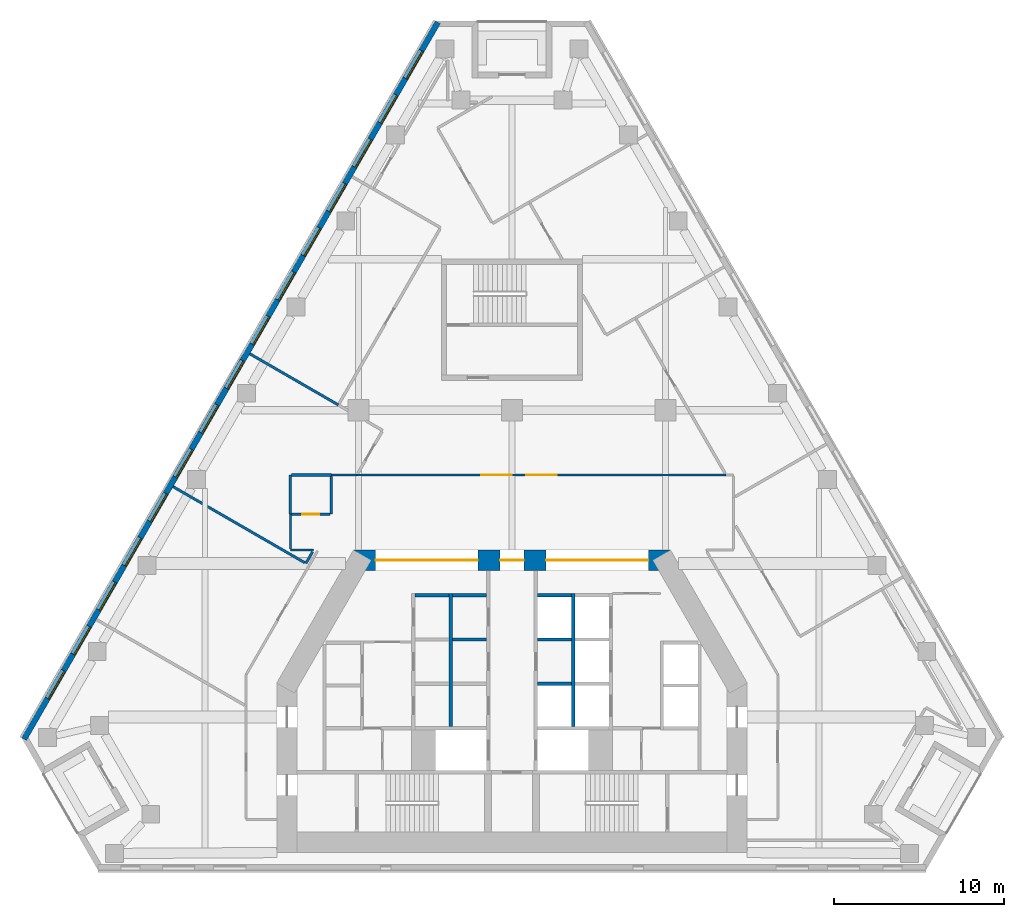
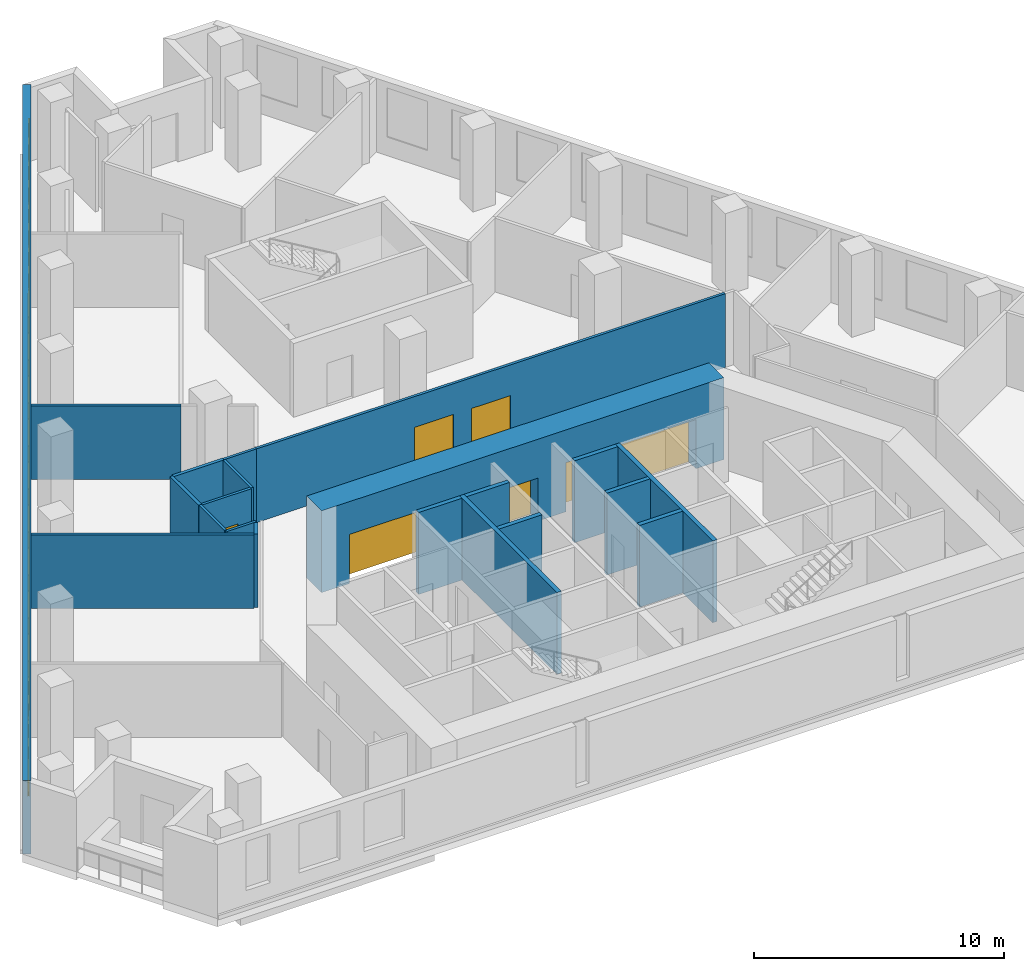
# One storey, part 4 of 8: 21 walls, 15 windows, 6 doors, 21 openings.
"""IFC4 building model written with IfcOpenShell, lengths in metres."""

from ifc_helpers import new_model, si_unit, direction, frame, frame_2d, origin, place, context, subcontext, project, spatial, rectangle, extrude, material, layer, layer_set, type_object, element, fill, save


model = new_model("IFC4")

# Units and contexts
model_context = context("Model", 3, precision=1e-05, world=origin(), true_north=direction((0.0, 1.0)))
body_context = subcontext(model_context, "Body", "Model", "MODEL_VIEW")
ifc_project = project(units=[si_unit("LENGTHUNIT", "METRE"), si_unit("AREAUNIT", "SQUARE_METRE"), si_unit("VOLUMEUNIT", "CUBIC_METRE"), si_unit("PLANEANGLEUNIT", "RADIAN"), si_unit("MASSUNIT", "GRAM", prefix="KILO")], contexts=[model_context])

# Site, building, storey
site_placement = place(None, origin())
site = spatial("IfcSite", under=ifc_project, at=site_placement, CompositionType="ELEMENT")
building_placement = place(site_placement, origin())
building = spatial("IfcBuilding", under=site, at=building_placement, Name="Fogline Exchange Tower", CompositionType="ELEMENT")
storey_placement = place(building_placement, frame((0.0, 0.0, 158.89990234375)))
storey = spatial("IfcBuildingStorey", under=building, at=storey_placement, Name="L35", CompositionType="ELEMENT", Elevation=158.89990234375)

# Walls
ifc_material_1 = material(Name="Concrete C40", Category="concrete")
ifc_layer_1 = layer(ifc_material_1, 0.199951171875)
ifc_layer_set_1 = layer_set([ifc_layer_1], Name="CW20")
wall_type_1 = type_object("IfcWallType", Name="CW20", PredefinedType="SOLIDWALL", material=ifc_layer_set_1)
wall_1_placement = place(storey_placement, frame((-3.5, 13.550048828125, 0.0), z_axis=(0.0, 0.0, 1.0), x_axis=(1.0, 0.0, 0.0)))
element("IfcWall", 1, at=wall_1_placement, inside=storey, type_object=wall_type_1, Name="Service room wall", PredefinedType="SOLIDWALL", context=body_context, shape_type="SweptSolid", body=[
    extrude(rectangle(XDim=2.0, YDim=0.199951171875, at=frame_2d((1.0, 0.0))), origin(), (0.0, 0.0, 1.0), 3.60009765625),
])
ifc_layer_2 = layer(ifc_material_1, 0.199951171875)
ifc_layer_set_2 = layer_set([ifc_layer_2], Name="CW20S")
wall_type_2 = type_object("IfcWallType", Name="CW20S", PredefinedType="SOLIDWALL", material=ifc_layer_set_2)
for number, where, z_axis, x_axis, name in (
    (2, (-3.60009765625, 8.449951171875, -0.39990234375), (0.0, 0.0, 1.0), (0.0, 1.0, 0.0), "Lift shaft wall"),
    (3, (3.60009765625, 8.449951171875, -0.39990234375), (0.0, 0.0, 1.0), (0.0, 1.0, 0.0), "Lift shaft wall"),
):
    element("IfcWall", number, at=place(storey_placement, frame(where, z_axis=z_axis, x_axis=x_axis)), inside=storey, type_object=wall_type_2, Name=name, PredefinedType="SOLIDWALL", context=body_context, shape_type="SweptSolid", body=[
        extrude(rectangle(XDim=7.800048828125, YDim=0.199951171875, at=frame_2d((3.89990234375, 0.0))), origin(), (0.0, 0.0, 1.0), 4.0),
    ])
for number, where, z_axis, x_axis, name in (
    (4, (-5.699951171875, 16.14990234375, -0.39990234375), (0.0, 0.0, 1.0), (1.0, 0.0, 0.0), "Lift shaft wall"),
    (5, (-3.5, 16.14990234375, -0.39990234375), (0.0, 0.0, 1.0), (1.0, 0.0, 0.0), "Lift shaft wall"),
    (6, (1.5, 10.949951171875, -0.39990234375), (0.0, 0.0, 1.0), (1.0, 0.0, 0.0), "Lift shaft wall"),
    (7, (1.5, 13.550048828125, -0.39990234375), (0.0, 0.0, 1.0), (1.0, 0.0, 0.0), "Lift shaft wall"),
    (8, (1.5, 16.14990234375, -0.39990234375), (0.0, 0.0, 1.0), (1.0, 0.0, 0.0), "Lift shaft wall"),
):
    element("IfcWall", number, at=place(storey_placement, frame(where, z_axis=z_axis, x_axis=x_axis)), inside=storey, type_object=wall_type_2, Name=name, PredefinedType="SOLIDWALL", context=body_context, shape_type="SweptSolid", body=[
        extrude(rectangle(XDim=2.0, YDim=0.199951171875, at=frame_2d((1.0, 0.0))), origin(), (0.0, 0.0, 1.0), 4.0),
    ])

# Wall, openings, windows
ifc_material_2 = material(Name="Brick masonry", Category="masonry")
ifc_layer_3 = layer(ifc_material_2, 0.340087890625)
ifc_layer_set_3 = layer_set([ifc_layer_3], Name="FW1")
wall_type_3 = type_object("IfcWallType", Name="FW1", PredefinedType="SOLIDWALL", material=ifc_layer_set_3)
wall_2_placement = place(storey_placement, frame((-4.352783203125, 49.756591796875, 0.0), z_axis=(0.0, 0.0, 1.0), x_axis=(-0.500001027829, -0.866024810367, 0.0)))
wall_2 = element("IfcWall", 9, at=wall_2_placement, inside=storey, type_object=wall_type_3, Name="Brick wall L35 W", PredefinedType="SOLIDWALL", context=body_context, shape_type="SweptSolid", body=[
    extrude(rectangle(XDim=48.55224609375, YDim=0.340087890625, at=frame_2d((24.276123046875, 0.0))), origin(), (0.0, 0.0, 1.0), 3.60009765625),
])
opening_1_placement = place(wall_2_placement, frame((1.9140625, 0.0, 0.89990234375)))
opening_1 = element("IfcOpeningElement", 10, at=opening_1_placement, cuts=wall_2, Name="Opening W1", PredefinedType="OPENING", context=body_context, shape_type="SweptSolid", body=[
    extrude(rectangle(XDim=1.885009765625, YDim=2.39990234375, at=frame_2d((0.9423828125, 1.199951171875))), frame((0.0, 0.18017578125, 0.0), z_axis=(0.0, -1.0, 0.0), x_axis=(1.0, 0.0, 0.0)), (0.0, 0.0, 1.0), 0.360107421875),
])
opening_2_placement = place(wall_2_placement, frame((4.9140625, 0.0, 0.89990234375)))
opening_2 = element("IfcOpeningElement", 11, at=opening_2_placement, cuts=wall_2, Name="Opening W1", PredefinedType="OPENING", context=body_context, shape_type="SweptSolid", body=[
    extrude(rectangle(XDim=1.885009765625, YDim=2.39990234375, at=frame_2d((0.9423828125, 1.199951171875))), frame((0.0, 0.18017578125, 0.0), z_axis=(0.0, -1.0, 0.0), x_axis=(1.0, 0.0, 0.0)), (0.0, 0.0, 1.0), 0.360107421875),
])
opening_3_placement = place(wall_2_placement, frame((7.9140625, 0.0, 0.89990234375)))
opening_3 = element("IfcOpeningElement", 12, at=opening_3_placement, cuts=wall_2, Name="Opening W1", PredefinedType="OPENING", context=body_context, shape_type="SweptSolid", body=[
    extrude(rectangle(XDim=1.885009765625, YDim=2.39990234375, at=frame_2d((0.9423828125, 1.199951171875))), frame((0.0, 0.18017578125, 0.0), z_axis=(0.0, -1.0, 0.0), x_axis=(1.0, 0.0, 0.0)), (0.0, 0.0, 1.0), 0.360107421875),
])
opening_4_placement = place(wall_2_placement, frame((10.9140625, 0.0, 0.89990234375)))
opening_4 = element("IfcOpeningElement", 13, at=opening_4_placement, cuts=wall_2, Name="Opening W1", PredefinedType="OPENING", context=body_context, shape_type="SweptSolid", body=[
    extrude(rectangle(XDim=1.885009765625, YDim=2.39990234375, at=frame_2d((0.9423828125, 1.199951171875))), frame((0.0, 0.18017578125, 0.0), z_axis=(0.0, -1.0, 0.0), x_axis=(1.0, 0.0, 0.0)), (0.0, 0.0, 1.0), 0.360107421875),
])
opening_5_placement = place(wall_2_placement, frame((13.9140625, 0.0, 0.89990234375)))
opening_5 = element("IfcOpeningElement", 14, at=opening_5_placement, cuts=wall_2, Name="Opening W1", PredefinedType="OPENING", context=body_context, shape_type="SweptSolid", body=[
    extrude(rectangle(XDim=1.885009765625, YDim=2.39990234375, at=frame_2d((0.9423828125, 1.199951171875))), frame((0.0, 0.18017578125, 0.0), z_axis=(0.0, -1.0, 0.0), x_axis=(1.0, 0.0, 0.0)), (0.0, 0.0, 1.0), 0.360107421875),
])
opening_6_placement = place(wall_2_placement, frame((16.9140625, 0.0, 0.89990234375)))
opening_6 = element("IfcOpeningElement", 15, at=opening_6_placement, cuts=wall_2, Name="Opening W1", PredefinedType="OPENING", context=body_context, shape_type="SweptSolid", body=[
    extrude(rectangle(XDim=1.885009765625, YDim=2.39990234375, at=frame_2d((0.9423828125, 1.199951171875))), frame((0.0, 0.18017578125, 0.0), z_axis=(0.0, -1.0, 0.0), x_axis=(1.0, 0.0, 0.0)), (0.0, 0.0, 1.0), 0.360107421875),
])
opening_7_placement = place(wall_2_placement, frame((19.9140625, 0.0, 0.89990234375)))
opening_7 = element("IfcOpeningElement", 16, at=opening_7_placement, cuts=wall_2, Name="Opening W1", PredefinedType="OPENING", context=body_context, shape_type="SweptSolid", body=[
    extrude(rectangle(XDim=1.885009765625, YDim=2.39990234375, at=frame_2d((0.9423828125, 1.199951171875))), frame((0.0, 0.18017578125, 0.0), z_axis=(0.0, -1.0, 0.0), x_axis=(1.0, 0.0, 0.0)), (0.0, 0.0, 1.0), 0.360107421875),
])
opening_8_placement = place(wall_2_placement, frame((22.9140625, 0.0, 0.89990234375)))
opening_8 = element("IfcOpeningElement", 17, at=opening_8_placement, cuts=wall_2, Name="Opening W1", PredefinedType="OPENING", context=body_context, shape_type="SweptSolid", body=[
    extrude(rectangle(XDim=1.885009765625, YDim=2.39990234375, at=frame_2d((0.9423828125, 1.199951171875))), frame((0.0, 0.18017578125, 0.0), z_axis=(0.0, -1.0, 0.0), x_axis=(1.0, 0.0, 0.0)), (0.0, 0.0, 1.0), 0.360107421875),
])
opening_9_placement = place(wall_2_placement, frame((25.9140625, 0.0, 0.89990234375)))
opening_9 = element("IfcOpeningElement", 18, at=opening_9_placement, cuts=wall_2, Name="Opening W1", PredefinedType="OPENING", context=body_context, shape_type="SweptSolid", body=[
    extrude(rectangle(XDim=1.885009765625, YDim=2.39990234375, at=frame_2d((0.9423828125, 1.199951171875))), frame((0.0, 0.18017578125, 0.0), z_axis=(0.0, -1.0, 0.0), x_axis=(1.0, 0.0, 0.0)), (0.0, 0.0, 1.0), 0.360107421875),
])
opening_10_placement = place(wall_2_placement, frame((28.9140625, 0.0, 0.89990234375)))
opening_10 = element("IfcOpeningElement", 19, at=opening_10_placement, cuts=wall_2, Name="Opening W1", PredefinedType="OPENING", context=body_context, shape_type="SweptSolid", body=[
    extrude(rectangle(XDim=1.885009765625, YDim=2.39990234375, at=frame_2d((0.9423828125, 1.199951171875))), frame((0.0, 0.18017578125, 0.0), z_axis=(0.0, -1.0, 0.0), x_axis=(1.0, 0.0, 0.0)), (0.0, 0.0, 1.0), 0.360107421875),
])
opening_11_placement = place(wall_2_placement, frame((31.9140625, 0.0, 0.89990234375)))
opening_11 = element("IfcOpeningElement", 20, at=opening_11_placement, cuts=wall_2, Name="Opening W1", PredefinedType="OPENING", context=body_context, shape_type="SweptSolid", body=[
    extrude(rectangle(XDim=1.885009765625, YDim=2.39990234375, at=frame_2d((0.9423828125, 1.199951171875))), frame((0.0, 0.18017578125, 0.0), z_axis=(0.0, -1.0, 0.0), x_axis=(1.0, 0.0, 0.0)), (0.0, 0.0, 1.0), 0.360107421875),
])
opening_12_placement = place(wall_2_placement, frame((34.9140625, 0.0, 0.89990234375)))
opening_12 = element("IfcOpeningElement", 21, at=opening_12_placement, cuts=wall_2, Name="Opening W1", PredefinedType="OPENING", context=body_context, shape_type="SweptSolid", body=[
    extrude(rectangle(XDim=1.885009765625, YDim=2.39990234375, at=frame_2d((0.9423828125, 1.199951171875))), frame((0.0, 0.18017578125, 0.0), z_axis=(0.0, -1.0, 0.0), x_axis=(1.0, 0.0, 0.0)), (0.0, 0.0, 1.0), 0.360107421875),
])
opening_13_placement = place(wall_2_placement, frame((37.9140625, 0.0, 0.89990234375)))
opening_13 = element("IfcOpeningElement", 22, at=opening_13_placement, cuts=wall_2, Name="Opening W1", PredefinedType="OPENING", context=body_context, shape_type="SweptSolid", body=[
    extrude(rectangle(XDim=1.885009765625, YDim=2.39990234375, at=frame_2d((0.9423828125, 1.199951171875))), frame((0.0, 0.18017578125, 0.0), z_axis=(0.0, -1.0, 0.0), x_axis=(1.0, 0.0, 0.0)), (0.0, 0.0, 1.0), 0.360107421875),
])
opening_14_placement = place(wall_2_placement, frame((40.9140625, 0.0, 0.89990234375)))
opening_14 = element("IfcOpeningElement", 23, at=opening_14_placement, cuts=wall_2, Name="Opening W1", PredefinedType="OPENING", context=body_context, shape_type="SweptSolid", body=[
    extrude(rectangle(XDim=1.885009765625, YDim=2.39990234375, at=frame_2d((0.9423828125, 1.199951171875))), frame((0.0, 0.18017578125, 0.0), z_axis=(0.0, -1.0, 0.0), x_axis=(1.0, 0.0, 0.0)), (0.0, 0.0, 1.0), 0.360107421875),
])
opening_15_placement = place(wall_2_placement, frame((43.9140625, 0.0, 0.89990234375)))
opening_15 = element("IfcOpeningElement", 24, at=opening_15_placement, cuts=wall_2, Name="Opening W1", PredefinedType="OPENING", context=body_context, shape_type="SweptSolid", body=[
    extrude(rectangle(XDim=1.885009765625, YDim=2.39990234375, at=frame_2d((0.9423828125, 1.199951171875))), frame((0.0, 0.18017578125, 0.0), z_axis=(0.0, -1.0, 0.0), x_axis=(1.0, 0.0, 0.0)), (0.0, 0.0, 1.0), 0.360107421875),
])
ifc_material_3 = material(Name="Aluminium and glass", Category="aluminium")
window_type = type_object("IfcWindowType", Name="W1", PartitioningType="SINGLE_PANEL", PredefinedType="WINDOW", material=ifc_material_3)
window_1_placement = place(opening_1_placement, origin())
window_1 = element("IfcWindow", 25, at=window_1_placement, inside=storey, type_object=window_type, Name="W1 W1", OverallHeight=2.39990234375, OverallWidth=1.885009765625, PartitioningType="SINGLE_PANEL", PredefinedType="WINDOW", context=body_context, shape_type="SweptSolid", body=[
    extrude(rectangle(XDim=1.885009765625, YDim=2.39990234375, at=frame_2d((0.9423828125, 1.199951171875))), frame((0.0, 0.110107421875, 0.0), z_axis=(0.0, -1.0, 0.0), x_axis=(1.0, 0.0, 0.0)), (0.0, 0.0, 1.0), 0.06005859375),
])
fill(opening_1, window_1)
window_2_placement = place(opening_2_placement, origin())
window_2 = element("IfcWindow", 26, at=window_2_placement, inside=storey, type_object=window_type, Name="W1 W1", OverallHeight=2.39990234375, OverallWidth=1.885009765625, PartitioningType="SINGLE_PANEL", PredefinedType="WINDOW", context=body_context, shape_type="SweptSolid", body=[
    extrude(rectangle(XDim=1.885009765625, YDim=2.39990234375, at=frame_2d((0.9423828125, 1.199951171875))), frame((0.0, 0.110107421875, 0.0), z_axis=(0.0, -1.0, 0.0), x_axis=(1.0, 0.0, 0.0)), (0.0, 0.0, 1.0), 0.06005859375),
])
fill(opening_2, window_2)
window_3_placement = place(opening_3_placement, origin())
window_3 = element("IfcWindow", 27, at=window_3_placement, inside=storey, type_object=window_type, Name="W1 W1", OverallHeight=2.39990234375, OverallWidth=1.885009765625, PartitioningType="SINGLE_PANEL", PredefinedType="WINDOW", context=body_context, shape_type="SweptSolid", body=[
    extrude(rectangle(XDim=1.885009765625, YDim=2.39990234375, at=frame_2d((0.9423828125, 1.199951171875))), frame((0.0, 0.110107421875, 0.0), z_axis=(0.0, -1.0, 0.0), x_axis=(1.0, 0.0, 0.0)), (0.0, 0.0, 1.0), 0.06005859375),
])
fill(opening_3, window_3)
window_4_placement = place(opening_4_placement, origin())
window_4 = element("IfcWindow", 28, at=window_4_placement, inside=storey, type_object=window_type, Name="W1 W1", OverallHeight=2.39990234375, OverallWidth=1.885009765625, PartitioningType="SINGLE_PANEL", PredefinedType="WINDOW", context=body_context, shape_type="SweptSolid", body=[
    extrude(rectangle(XDim=1.885009765625, YDim=2.39990234375, at=frame_2d((0.9423828125, 1.199951171875))), frame((0.0, 0.110107421875, 0.0), z_axis=(0.0, -1.0, 0.0), x_axis=(1.0, 0.0, 0.0)), (0.0, 0.0, 1.0), 0.06005859375),
])
fill(opening_4, window_4)
window_5_placement = place(opening_5_placement, origin())
window_5 = element("IfcWindow", 29, at=window_5_placement, inside=storey, type_object=window_type, Name="W1 W1", OverallHeight=2.39990234375, OverallWidth=1.885009765625, PartitioningType="SINGLE_PANEL", PredefinedType="WINDOW", context=body_context, shape_type="SweptSolid", body=[
    extrude(rectangle(XDim=1.885009765625, YDim=2.39990234375, at=frame_2d((0.9423828125, 1.199951171875))), frame((0.0, 0.110107421875, 0.0), z_axis=(0.0, -1.0, 0.0), x_axis=(1.0, 0.0, 0.0)), (0.0, 0.0, 1.0), 0.06005859375),
])
fill(opening_5, window_5)
window_6_placement = place(opening_6_placement, origin())
window_6 = element("IfcWindow", 30, at=window_6_placement, inside=storey, type_object=window_type, Name="W1 W1", OverallHeight=2.39990234375, OverallWidth=1.885009765625, PartitioningType="SINGLE_PANEL", PredefinedType="WINDOW", context=body_context, shape_type="SweptSolid", body=[
    extrude(rectangle(XDim=1.885009765625, YDim=2.39990234375, at=frame_2d((0.9423828125, 1.199951171875))), frame((0.0, 0.110107421875, 0.0), z_axis=(0.0, -1.0, 0.0), x_axis=(1.0, 0.0, 0.0)), (0.0, 0.0, 1.0), 0.06005859375),
])
fill(opening_6, window_6)
window_7_placement = place(opening_7_placement, origin())
window_7 = element("IfcWindow", 31, at=window_7_placement, inside=storey, type_object=window_type, Name="W1 W1", OverallHeight=2.39990234375, OverallWidth=1.885009765625, PartitioningType="SINGLE_PANEL", PredefinedType="WINDOW", context=body_context, shape_type="SweptSolid", body=[
    extrude(rectangle(XDim=1.885009765625, YDim=2.39990234375, at=frame_2d((0.9423828125, 1.199951171875))), frame((0.0, 0.110107421875, 0.0), z_axis=(0.0, -1.0, 0.0), x_axis=(1.0, 0.0, 0.0)), (0.0, 0.0, 1.0), 0.06005859375),
])
fill(opening_7, window_7)
window_8_placement = place(opening_8_placement, origin())
window_8 = element("IfcWindow", 32, at=window_8_placement, inside=storey, type_object=window_type, Name="W1 W1", OverallHeight=2.39990234375, OverallWidth=1.885009765625, PartitioningType="SINGLE_PANEL", PredefinedType="WINDOW", context=body_context, shape_type="SweptSolid", body=[
    extrude(rectangle(XDim=1.885009765625, YDim=2.39990234375, at=frame_2d((0.9423828125, 1.199951171875))), frame((0.0, 0.110107421875, 0.0), z_axis=(0.0, -1.0, 0.0), x_axis=(1.0, 0.0, 0.0)), (0.0, 0.0, 1.0), 0.06005859375),
])
fill(opening_8, window_8)
window_9_placement = place(opening_9_placement, origin())
window_9 = element("IfcWindow", 33, at=window_9_placement, inside=storey, type_object=window_type, Name="W1 W1", OverallHeight=2.39990234375, OverallWidth=1.885009765625, PartitioningType="SINGLE_PANEL", PredefinedType="WINDOW", context=body_context, shape_type="SweptSolid", body=[
    extrude(rectangle(XDim=1.885009765625, YDim=2.39990234375, at=frame_2d((0.9423828125, 1.199951171875))), frame((0.0, 0.110107421875, 0.0), z_axis=(0.0, -1.0, 0.0), x_axis=(1.0, 0.0, 0.0)), (0.0, 0.0, 1.0), 0.06005859375),
])
fill(opening_9, window_9)
window_10_placement = place(opening_10_placement, origin())
window_10 = element("IfcWindow", 34, at=window_10_placement, inside=storey, type_object=window_type, Name="W1 W1", OverallHeight=2.39990234375, OverallWidth=1.885009765625, PartitioningType="SINGLE_PANEL", PredefinedType="WINDOW", context=body_context, shape_type="SweptSolid", body=[
    extrude(rectangle(XDim=1.885009765625, YDim=2.39990234375, at=frame_2d((0.9423828125, 1.199951171875))), frame((0.0, 0.110107421875, 0.0), z_axis=(0.0, -1.0, 0.0), x_axis=(1.0, 0.0, 0.0)), (0.0, 0.0, 1.0), 0.06005859375),
])
fill(opening_10, window_10)
window_11_placement = place(opening_11_placement, origin())
window_11 = element("IfcWindow", 35, at=window_11_placement, inside=storey, type_object=window_type, Name="W1 W1", OverallHeight=2.39990234375, OverallWidth=1.885009765625, PartitioningType="SINGLE_PANEL", PredefinedType="WINDOW", context=body_context, shape_type="SweptSolid", body=[
    extrude(rectangle(XDim=1.885009765625, YDim=2.39990234375, at=frame_2d((0.9423828125, 1.199951171875))), frame((0.0, 0.110107421875, 0.0), z_axis=(0.0, -1.0, 0.0), x_axis=(1.0, 0.0, 0.0)), (0.0, 0.0, 1.0), 0.06005859375),
])
fill(opening_11, window_11)
window_12_placement = place(opening_12_placement, origin())
window_12 = element("IfcWindow", 36, at=window_12_placement, inside=storey, type_object=window_type, Name="W1 W1", OverallHeight=2.39990234375, OverallWidth=1.885009765625, PartitioningType="SINGLE_PANEL", PredefinedType="WINDOW", context=body_context, shape_type="SweptSolid", body=[
    extrude(rectangle(XDim=1.885009765625, YDim=2.39990234375, at=frame_2d((0.9423828125, 1.199951171875))), frame((0.0, 0.110107421875, 0.0), z_axis=(0.0, -1.0, 0.0), x_axis=(1.0, 0.0, 0.0)), (0.0, 0.0, 1.0), 0.06005859375),
])
fill(opening_12, window_12)
window_13_placement = place(opening_13_placement, origin())
window_13 = element("IfcWindow", 37, at=window_13_placement, inside=storey, type_object=window_type, Name="W1 W1", OverallHeight=2.39990234375, OverallWidth=1.885009765625, PartitioningType="SINGLE_PANEL", PredefinedType="WINDOW", context=body_context, shape_type="SweptSolid", body=[
    extrude(rectangle(XDim=1.885009765625, YDim=2.39990234375, at=frame_2d((0.9423828125, 1.199951171875))), frame((0.0, 0.110107421875, 0.0), z_axis=(0.0, -1.0, 0.0), x_axis=(1.0, 0.0, 0.0)), (0.0, 0.0, 1.0), 0.06005859375),
])
fill(opening_13, window_13)
window_14_placement = place(opening_14_placement, origin())
window_14 = element("IfcWindow", 38, at=window_14_placement, inside=storey, type_object=window_type, Name="W1 W1", OverallHeight=2.39990234375, OverallWidth=1.885009765625, PartitioningType="SINGLE_PANEL", PredefinedType="WINDOW", context=body_context, shape_type="SweptSolid", body=[
    extrude(rectangle(XDim=1.885009765625, YDim=2.39990234375, at=frame_2d((0.9423828125, 1.199951171875))), frame((0.0, 0.110107421875, 0.0), z_axis=(0.0, -1.0, 0.0), x_axis=(1.0, 0.0, 0.0)), (0.0, 0.0, 1.0), 0.06005859375),
])
fill(opening_14, window_14)
window_15_placement = place(opening_15_placement, origin())
window_15 = element("IfcWindow", 39, at=window_15_placement, inside=storey, type_object=window_type, Name="W1 W1", OverallHeight=2.39990234375, OverallWidth=1.885009765625, PartitioningType="SINGLE_PANEL", PredefinedType="WINDOW", context=body_context, shape_type="SweptSolid", body=[
    extrude(rectangle(XDim=1.885009765625, YDim=2.39990234375, at=frame_2d((0.9423828125, 1.199951171875))), frame((0.0, 0.110107421875, 0.0), z_axis=(0.0, -1.0, 0.0), x_axis=(1.0, 0.0, 0.0)), (0.0, 0.0, 1.0), 0.06005859375),
])
fill(opening_15, window_15)

# Wall, openings, doors
ifc_material_4 = material(Name="Plasterboard corridor partition with mineral wool, 2 layers each side")
ifc_layer_4 = layer(ifc_material_4, 0.125)
ifc_layer_set_4 = layer_set([ifc_layer_4], Name="PW2")
wall_type_4 = type_object("IfcWallType", Name="PW2", PredefinedType="PARTITIONING", material=ifc_layer_set_4)
wall_3_placement = place(storey_placement, frame((-9.0966796875, 23.199951171875, 0.0), z_axis=(0.0, 0.0, 1.0), x_axis=(1.0, 0.0, 0.0)))
wall_3 = element("IfcWall", 40, at=wall_3_placement, inside=storey, type_object=wall_type_4, Name="wall-L35-W007", PredefinedType="PARTITIONING", context=body_context, shape_type="SweptSolid", body=[
    extrude(rectangle(XDim=21.657470703125, YDim=0.125, at=frame_2d((10.82861328125, 0.0))), origin(), (0.0, 0.0, 1.0), 3.60009765625),
])
opening_16_placement = place(wall_3_placement, frame((7.2890625, 0.0, 0.0)))
opening_16 = element("IfcOpeningElement", 41, at=opening_16_placement, cuts=wall_3, Name="Opening T11-D002", PredefinedType="OPENING", context=body_context, shape_type="SweptSolid", body=[
    extrude(rectangle(XDim=1.800048828125, YDim=2.10009765625, at=frame_2d((0.89990234375, 1.050048828125))), frame((0.0, 0.072509765625, 0.0), z_axis=(0.0, -1.0, 0.0), x_axis=(1.0, 0.0, 0.0)), (0.0, 0.0, 1.0), 0.14501953125),
])
opening_17_placement = place(wall_3_placement, frame((9.9287109375, 0.0, 0.0)))
opening_17 = element("IfcOpeningElement", 42, at=opening_17_placement, cuts=wall_3, Name="Opening T11-D003", PredefinedType="OPENING", context=body_context, shape_type="SweptSolid", body=[
    extrude(rectangle(XDim=1.800048828125, YDim=2.10009765625, at=frame_2d((0.89990234375, 1.050048828125))), frame((0.0, 0.072509765625, 0.0), z_axis=(0.0, -1.0, 0.0), x_axis=(1.0, 0.0, 0.0)), (0.0, 0.0, 1.0), 0.14501953125),
])
ifc_material_5 = material(Name="Fire-rated timber door leaves with steel frame", Category="steel")
door_type_1 = type_object("IfcDoorType", Name="D4", OperationType="DOUBLE_DOOR_SINGLE_SWING", PredefinedType="DOOR", material=ifc_material_5)
door_1_placement = place(opening_16_placement, frame((1.800048828125, 0.0, 0.0), z_axis=(0.0, 0.0, 1.0), x_axis=(-1.0, 0.0, 0.0)))
door_1 = element("IfcDoor", 43, at=door_1_placement, inside=storey, type_object=door_type_1, Name="door-L35-D002", OperationType="DOUBLE_DOOR_SINGLE_SWING", OverallHeight=2.10009765625, OverallWidth=1.800048828125, PredefinedType="DOOR", context=body_context, shape_type="SweptSolid", body=[
    extrude(rectangle(XDim=1.800048828125, YDim=2.10009765625, at=frame_2d((0.89990234375, 1.050048828125))), frame((0.0, 0.02490234375, 0.0), z_axis=(0.0, -1.0, 0.0), x_axis=(1.0, 0.0, 0.0)), (0.0, 0.0, 1.0), 0.050048828125),
])
fill(opening_16, door_1)
door_2_placement = place(opening_17_placement, frame((1.800048828125, 0.0, 0.0), z_axis=(0.0, 0.0, 1.0), x_axis=(-1.0, 0.0, 0.0)))
door_2 = element("IfcDoor", 44, at=door_2_placement, inside=storey, type_object=door_type_1, Name="door-L35-D003", OperationType="DOUBLE_DOOR_SINGLE_SWING", OverallHeight=2.10009765625, OverallWidth=1.800048828125, PredefinedType="DOOR", context=body_context, shape_type="SweptSolid", body=[
    extrude(rectangle(XDim=1.800048828125, YDim=2.10009765625, at=frame_2d((0.89990234375, 1.050048828125))), frame((0.0, 0.02490234375, 0.0), z_axis=(0.0, -1.0, 0.0), x_axis=(1.0, 0.0, 0.0)), (0.0, 0.0, 1.0), 0.050048828125),
])
fill(opening_17, door_2)

# Walls
wall_4_placement = place(storey_placement, frame((-11.636962890625, 18.800048828125, 0.0), z_axis=(0.0, 0.0, 1.0), x_axis=(-1.0, 0.0, 0.0)))
element("IfcWall", 45, at=wall_4_placement, inside=storey, type_object=wall_type_4, Name="wall-L35-W008", PredefinedType="PARTITIONING", context=body_context, shape_type="SweptSolid", body=[
    extrude(rectangle(XDim=1.363037109375, YDim=0.125, at=frame_2d((0.681640625, 0.0))), origin(), (0.0, 0.0, 1.0), 3.60009765625),
])
wall_5_placement = place(storey_placement, frame((-13.0, 18.862548828125, 0.0), z_axis=(0.0, 0.0, 1.0), x_axis=(0.0, 1.0, 0.0)))
element("IfcWall", 46, at=wall_5_placement, inside=storey, type_object=wall_type_4, Name="wall-L35-W009", PredefinedType="PARTITIONING", context=body_context, shape_type="SweptSolid", body=[
    extrude(rectangle(XDim=2.037353515625, YDim=0.125, at=frame_2d((1.0185546875, 0.0))), origin(), (0.0, 0.0, 1.0), 3.60009765625),
])
wall_6_placement = place(storey_placement, frame((-10.60009765625, 23.199951171875, 0.0), z_axis=(0.0, 0.0, 1.0), x_axis=(1.0, 0.0, 0.0)))
element("IfcWall", 47, at=wall_6_placement, inside=storey, type_object=wall_type_4, Name="wall-L35-W010", PredefinedType="PARTITIONING", context=body_context, shape_type="SweptSolid", body=[
    extrude(rectangle(XDim=1.50341796875, YDim=0.125, at=frame_2d((0.751708984375, 0.0))), origin(), (0.0, 0.0, 1.0), 3.60009765625),
])

# Wall, opening, door
wall_7_placement = place(storey_placement, frame((-12.925048828125, 20.89990234375, 0.0), z_axis=(0.0, 0.0, 1.0), x_axis=(1.0, 0.0, 0.0)))
wall_7 = element("IfcWall", 48, at=wall_7_placement, inside=storey, type_object=wall_type_4, Name="wall-L35-W011", PredefinedType="PARTITIONING", context=body_context, shape_type="SweptSolid", body=[
    extrude(rectangle(XDim=2.262451171875, YDim=0.125, at=frame_2d((1.13134765625, 0.0))), origin(), (0.0, 0.0, 1.0), 3.60009765625),
])
opening_18_placement = place(wall_7_placement, frame((0.63134765625, 0.0, 0.0)))
opening_18 = element("IfcOpeningElement", 49, at=opening_18_placement, cuts=wall_7, Name="Opening T11-D004", PredefinedType="OPENING", context=body_context, shape_type="SweptSolid", body=[
    extrude(rectangle(XDim=1.0, YDim=2.10009765625, at=frame_2d((0.5, 1.050048828125))), frame((0.0, 0.072509765625, 0.0), z_axis=(0.0, -1.0, 0.0), x_axis=(1.0, 0.0, 0.0)), (0.0, 0.0, 1.0), 0.14501953125),
])
ifc_material_6 = material(Name="Fire-rated timber door leaf with steel frame", Category="steel")
door_type_2 = type_object("IfcDoorType", Name="D3", OperationType="SINGLE_SWING_LEFT", PredefinedType="DOOR", material=ifc_material_6)
door_3_placement = place(opening_18_placement, origin())
door_3 = element("IfcDoor", 50, at=door_3_placement, inside=storey, type_object=door_type_2, Name="door-L35-D004", OperationType="SINGLE_SWING_LEFT", OverallHeight=2.10009765625, OverallWidth=1.0, PredefinedType="DOOR", context=body_context, shape_type="SweptSolid", body=[
    extrude(rectangle(XDim=1.0, YDim=2.10009765625, at=frame_2d((0.5, 1.050048828125))), frame((0.0, 0.02490234375, 0.0), z_axis=(0.0, -1.0, 0.0), x_axis=(1.0, 0.0, 0.0)), (0.0, 0.0, 1.0), 0.050048828125),
])
fill(opening_18, door_3)

# Walls
wall_8_placement = place(storey_placement, frame((-10.60009765625, 20.89990234375, 0.0), z_axis=(0.0, 0.0, 1.0), x_axis=(0.0, 1.0, 0.0)))
element("IfcWall", 51, at=wall_8_placement, inside=storey, type_object=wall_type_4, Name="wall-L35-W012", PredefinedType="PARTITIONING", context=body_context, shape_type="SweptSolid", body=[
    extrude(rectangle(XDim=2.22509765625, YDim=0.125, at=frame_2d((1.112548828125, 0.0))), origin(), (0.0, 0.0, 1.0), 3.60009765625),
])
ifc_material_7 = material(Name="Plasterboard demising partition with mineral wool and acoustic board")
ifc_layer_5 = layer(ifc_material_7, 0.14990234375)
ifc_layer_set_5 = layer_set([ifc_layer_5], Name="PW3")
wall_type_5 = type_object("IfcWallType", Name="PW3", PredefinedType="PARTITIONING", material=ifc_layer_set_5)
wall_9_placement = place(storey_placement, frame((-10.187744140625, 27.310302734375, 0.0), z_axis=(0.0, 0.0, 1.0), x_axis=(-0.866020924479, 0.500007758305, 0.0)))
element("IfcWall", 52, at=wall_9_placement, inside=storey, type_object=wall_type_5, Name="wall-L35-W044", PredefinedType="PARTITIONING", context=body_context, shape_type="SweptSolid", body=[
    extrude(rectangle(XDim=6.0, YDim=0.14990234375, at=frame_2d((3.0, 0.0))), origin(), (0.0, 0.0, 1.0), 3.60009765625),
])
wall_10_placement = place(storey_placement, frame((-10.60009765625, 23.199951171875, 0.0), z_axis=(0.0, 0.0, 1.0), x_axis=(-1.0, 0.0, 0.0)))
element("IfcWall", 53, at=wall_10_placement, inside=storey, type_object=wall_type_5, Name="wall-L35-W045", PredefinedType="PARTITIONING", context=body_context, shape_type="SweptSolid", body=[
    extrude(rectangle(XDim=2.324951171875, YDim=0.14990234375, at=frame_2d((1.16259765625, 0.0))), origin(), (0.0, 0.0, 1.0), 3.60009765625),
])
wall_11_placement = place(storey_placement, frame((-13.0, 23.199951171875, 0.0), z_axis=(0.0, 0.0, 1.0), x_axis=(0.0, -1.0, 0.0)))
element("IfcWall", 54, at=wall_11_placement, inside=storey, type_object=wall_type_5, Name="wall-L35-W046", PredefinedType="PARTITIONING", context=body_context, shape_type="SweptSolid", body=[
    extrude(rectangle(XDim=2.300048828125, YDim=0.14990234375, at=frame_2d((1.14990234375, 0.0))), origin(), (0.0, 0.0, 1.0), 3.60009765625),
])
wall_12_placement = place(storey_placement, frame((-11.695068359375, 18.69970703125, 0.0), z_axis=(0.0, 0.0, 1.0), x_axis=(-0.499865263774, -0.866103179807, 0.0)))
element("IfcWall", 55, at=wall_12_placement, inside=storey, type_object=wall_type_5, Name="wall-L35-W047", PredefinedType="PARTITIONING", context=body_context, shape_type="SweptSolid", body=[
    extrude(rectangle(XDim=0.789306640625, YDim=0.14990234375, at=frame_2d((0.39453125, 0.0))), origin(), (0.0, 0.0, 1.0), 3.60009765625),
])
wall_13_placement = place(storey_placement, frame((-12.154541015625, 18.053466796875, 0.0), z_axis=(0.0, 0.0, 1.0), x_axis=(-0.866017493347, 0.500013701029, 0.0)))
element("IfcWall", 56, at=wall_13_placement, inside=storey, type_object=wall_type_5, Name="wall-L35-W048", PredefinedType="PARTITIONING", context=body_context, shape_type="SweptSolid", body=[
    extrude(rectangle(XDim=8.925048828125, YDim=0.14990234375, at=frame_2d((4.46240234375, 0.0))), origin(), (0.0, 0.0, 1.0), 3.60009765625),
])

# Wall, openings, doors
ifc_material_8 = material(Name="Concrete C60", Category="concrete")
ifc_layer_6 = layer(ifc_material_8, 1.199951171875)
ifc_layer_set_6 = layer_set([ifc_layer_6], Name="SW02")
wall_type_6 = type_object("IfcWallType", Name="SW02", PredefinedType="SHEAR", material=ifc_layer_set_6)
wall_14_placement = place(storey_placement, frame((9.296142578125, 18.199951171875, 0.0), z_axis=(0.0, 0.0, 1.0), x_axis=(-1.0, 0.0, 0.0)))
wall_14 = element("IfcWall", 57, at=wall_14_placement, inside=storey, type_object=wall_type_6, Name="L35-W904", PredefinedType="SHEAR", context=body_context, shape_type="SweptSolid", body=[
    extrude(rectangle(XDim=18.59228515625, YDim=1.199951171875, at=frame_2d((9.296142578125, 0.0))), origin(), (0.0, 0.0, 1.0), 4.0),
])
opening_19_placement = place(wall_14_placement, frame((8.59619140625, 0.0, 0.0)))
opening_19 = element("IfcOpeningElement", 58, at=opening_19_placement, cuts=wall_14, Name="Opening T11-C023", PredefinedType="OPENING", context=body_context, shape_type="SweptSolid", body=[
    extrude(rectangle(XDim=1.39990234375, YDim=2.10009765625, at=frame_2d((0.699951171875, 1.050048828125))), frame((0.0, 0.60986328125, 0.0), z_axis=(0.0, -1.0, 0.0), x_axis=(1.0, 0.0, 0.0)), (0.0, 0.0, 1.0), 1.219970703125),
])
opening_20_placement = place(wall_14_placement, frame((11.296142578125, 0.0, 0.0)))
opening_20 = element("IfcOpeningElement", 59, at=opening_20_placement, cuts=wall_14, Name="Opening T11-C024", PredefinedType="OPENING", context=body_context, shape_type="SweptSolid", body=[
    extrude(rectangle(XDim=6.0, YDim=2.39990234375, at=frame_2d((3.0, 1.199951171875))), frame((0.0, 0.60986328125, 0.0), z_axis=(0.0, -1.0, 0.0), x_axis=(1.0, 0.0, 0.0)), (0.0, 0.0, 1.0), 1.219970703125),
])
opening_21_placement = place(wall_14_placement, frame((1.296142578125, 0.0, 0.0)))
opening_21 = element("IfcOpeningElement", 60, at=opening_21_placement, cuts=wall_14, Name="Opening T11-C025", PredefinedType="OPENING", context=body_context, shape_type="SweptSolid", body=[
    extrude(rectangle(XDim=6.0, YDim=2.39990234375, at=frame_2d((3.0, 1.199951171875))), frame((0.0, 0.60986328125, 0.0), z_axis=(0.0, -1.0, 0.0), x_axis=(1.0, 0.0, 0.0)), (0.0, 0.0, 1.0), 1.219970703125),
])
ifc_material_9 = material(Name="Steel and timber fire door", Category="steel")
door_type_3 = type_object("IfcDoorType", Name="D-LB1", OperationType="DOUBLE_DOOR_SINGLE_SWING", PredefinedType="DOOR", material=ifc_material_9)
door_4_placement = place(opening_19_placement, origin())
door_4 = element("IfcDoor", 61, at=door_4_placement, inside=storey, type_object=door_type_3, Name="Protected lobby door", OperationType="DOUBLE_DOOR_SINGLE_SWING", OverallHeight=2.10009765625, OverallWidth=1.39990234375, PredefinedType="DOOR", context=body_context, shape_type="SweptSolid", body=[
    extrude(rectangle(XDim=1.39990234375, YDim=2.10009765625, at=frame_2d((0.699951171875, 1.050048828125))), frame((0.0, 0.02490234375, 0.0), z_axis=(0.0, -1.0, 0.0), x_axis=(1.0, 0.0, 0.0)), (0.0, 0.0, 1.0), 0.050048828125),
])
fill(opening_19, door_4)
door_type_4 = type_object("IfcDoorType", Name="D-LE1", OperationType="DOUBLE_DOOR_SLIDING", PredefinedType="DOOR", material=ifc_material_9)
door_5_placement = place(opening_20_placement, origin())
door_5 = element("IfcDoor", 62, at=door_5_placement, inside=storey, type_object=door_type_4, Name="Lift lobby entrance west", OperationType="DOUBLE_DOOR_SLIDING", OverallHeight=2.39990234375, OverallWidth=6.0, PredefinedType="DOOR", context=body_context, shape_type="SweptSolid", body=[
    extrude(rectangle(XDim=6.0, YDim=2.39990234375, at=frame_2d((3.0, 1.199951171875))), frame((0.0, 0.02490234375, 0.0), z_axis=(0.0, -1.0, 0.0), x_axis=(1.0, 0.0, 0.0)), (0.0, 0.0, 1.0), 0.050048828125),
])
fill(opening_20, door_5)
door_6_placement = place(opening_21_placement, origin())
door_6 = element("IfcDoor", 63, at=door_6_placement, inside=storey, type_object=door_type_4, Name="Lift lobby entrance east", OperationType="DOUBLE_DOOR_SLIDING", OverallHeight=2.39990234375, OverallWidth=6.0, PredefinedType="DOOR", context=body_context, shape_type="SweptSolid", body=[
    extrude(rectangle(XDim=6.0, YDim=2.39990234375, at=frame_2d((3.0, 1.199951171875))), frame((0.0, 0.02490234375, 0.0), z_axis=(0.0, -1.0, 0.0), x_axis=(1.0, 0.0, 0.0)), (0.0, 0.0, 1.0), 0.050048828125),
])
fill(opening_21, door_6)

save(model, "model.ifc")
